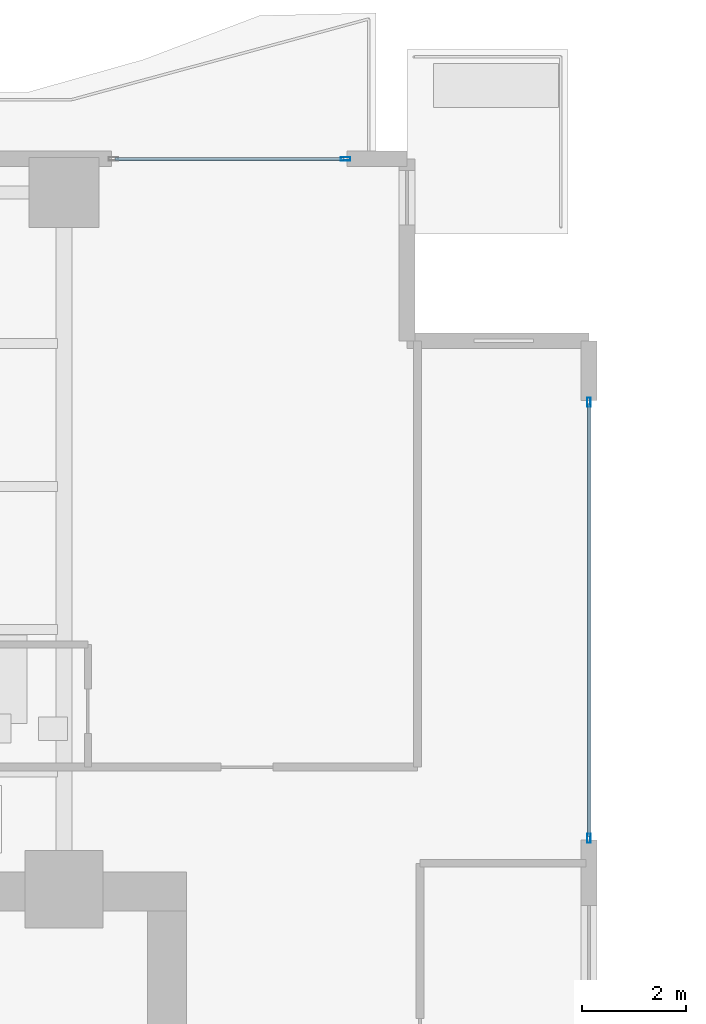
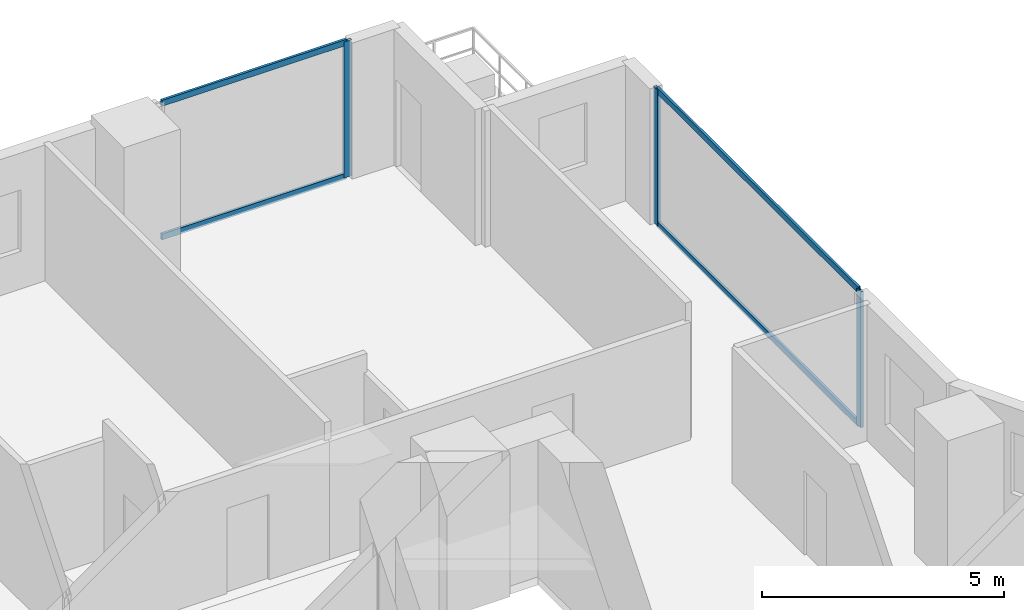
# One storey, part 18 of 28: 7 members, 2 elements without a shape of their own.
"""IFC4 building model written with IfcOpenShell, lengths in metres."""

from ifc_helpers import new_model, si_unit, direction, frame, origin, origin_2d, place, context, subcontext, project, spatial, hollow_rectangle, extrude, material, layer, layer_set, material_profile, profile_set, type_object, element, aggregate, save


model = new_model("IFC4")

# Units and contexts
model_context = context("Model", 3, precision=1e-05, world=origin(), true_north=direction((0.0, 1.0)))
body_context = subcontext(model_context, "Body", "Model", "MODEL_VIEW")
ifc_project = project(units=[si_unit("LENGTHUNIT", "METRE"), si_unit("AREAUNIT", "SQUARE_METRE"), si_unit("VOLUMEUNIT", "CUBIC_METRE"), si_unit("PLANEANGLEUNIT", "RADIAN"), si_unit("MASSUNIT", "GRAM", prefix="KILO")], contexts=[model_context])

# Site, building, storey
site_placement = place(None, origin())
site = spatial("IfcSite", under=ifc_project, at=site_placement, CompositionType="ELEMENT")
building_placement = place(site_placement, origin())
building = spatial("IfcBuilding", under=site, at=building_placement, Name="Zuhayl Quay Hotel", CompositionType="ELEMENT")
storey_placement = place(building_placement, frame((0.0, 0.0, 99.300048828125)))
storey = spatial("IfcBuildingStorey", under=building, at=storey_placement, Name="L24", CompositionType="ELEMENT", Elevation=99.300048828125)

# Curtain wall, member
ifc_material_1 = material(Name="Anodised Aluminium 6063-T6", Category="aluminium")
ifc_layer = layer(ifc_material_1, 0.179931640625, Name="Anodised Aluminium 6063-T6", Category="aluminium")
ifc_layer_set = layer_set([ifc_layer], Name="Anodised Aluminium 6063-T6")
curtain_wall_type = type_object("IfcCurtainWallType", Name="CW_SYS_Z2", PredefinedType="USERDEFINED", material=ifc_layer_set)
curtain_wall_1_placement = place(storey_placement, origin())
curtain_wall_1 = element("IfcCurtainWall", 1, at=curtain_wall_1_placement, inside=storey, type_object=curtain_wall_type, Name="L24 Curtain Wall ENV_L24_N_CW4", ObjectType="UNITISED CURTAIN WALL", PredefinedType="USERDEFINED")
ifc_material_2 = material(Name="Black-anodised aluminium 6063-T6", Category="aluminium")
ifc_material_profile_1 = material_profile(ifc_material_2, hollow_rectangle(XDim=0.06494140625, YDim=0.179931640625, WallThickness=0.00341796875, at=origin_2d()), Name="ALU180X65")
ifc_profile_set_1 = profile_set([ifc_material_profile_1], Name="Black-anodised aluminium 6063-T6")
member_type_1 = type_object("IfcMemberType", Name="MB_CW_MUL_180", PredefinedType="MULLION", material=ifc_profile_set_1)
member_1_placement = place(storey_placement, frame((19.217529296875, 28.39990234375, 0.0), z_axis=(0.0, 0.0, 1.0), x_axis=(0.0, 1.0, 0.0)))
member_1 = element("IfcMember", 2, at=member_1_placement, type_object=member_type_1, Name="CW-Z2 mullion 2", PredefinedType="MULLION", context=body_context, shape_type="SweptSolid", body=[
    extrude(hollow_rectangle(XDim=0.06494140625, YDim=0.179931640625, WallThickness=0.00341796875, at=origin_2d()), origin(), (0.0, 0.0, 1.0), 3.429931640625),
])

# Curtain wall, members
curtain_wall_2_placement = place(storey_placement, origin())
curtain_wall_2 = element("IfcCurtainWall", 3, at=curtain_wall_2_placement, inside=storey, type_object=curtain_wall_type, Name="L24 Curtain Wall ENV_L24_E11_CW1", ObjectType="UNITISED CURTAIN WALL", PredefinedType="USERDEFINED")
member_2_placement = place(storey_placement, frame((23.89990234375, 23.717529296875, 0.0), z_axis=(0.0, 0.0, 1.0), x_axis=(1.0, 0.0, 0.0)))
member_2 = element("IfcMember", 4, at=member_2_placement, type_object=member_type_1, Name="CW-Z2 mullion 1", PredefinedType="MULLION", context=body_context, shape_type="SweptSolid", body=[
    extrude(hollow_rectangle(XDim=0.06494140625, YDim=0.179931640625, WallThickness=0.00341796875, at=origin_2d()), origin(), (0.0, 0.0, 1.0), 3.429931640625),
])
member_3_placement = place(storey_placement, frame((23.89990234375, 15.33251953125, 0.0), z_axis=(0.0, 0.0, 1.0), x_axis=(1.0, 0.0, 0.0)))
member_3 = element("IfcMember", 5, at=member_3_placement, type_object=member_type_1, Name="CW-Z2 mullion 2", PredefinedType="MULLION", context=body_context, shape_type="SweptSolid", body=[
    extrude(hollow_rectangle(XDim=0.06494140625, YDim=0.179931640625, WallThickness=0.00341796875, at=origin_2d()), origin(), (0.0, 0.0, 1.0), 3.429931640625),
])

# Member
ifc_material_profile_2 = material_profile(ifc_material_2, hollow_rectangle(XDim=0.06005859375, YDim=0.14990234375, WallThickness=0.00341796875, at=origin_2d()), Name="ALU150X60")
ifc_profile_set_2 = profile_set([ifc_material_profile_2], Name="Black-anodised aluminium 6063-T6")
member_type_2 = type_object("IfcMemberType", Name="MB_CW_TRN_150", PredefinedType="USERDEFINED", material=ifc_profile_set_2)
member_4_placement = place(storey_placement, frame((14.784912109375, 28.39990234375, 0.030029296875), z_axis=(1.0, 0.0, 0.0), x_axis=(0.0, 1.0, 0.0)))
member_4 = element("IfcMember", 6, at=member_4_placement, type_object=member_type_2, Name="CW-Z2 transom 1.1", ObjectType="TRANSOM", PredefinedType="USERDEFINED", context=body_context, shape_type="SweptSolid", body=[
    extrude(hollow_rectangle(XDim=0.06005859375, YDim=0.14990234375, WallThickness=0.00341796875, at=origin_2d()), origin(), (0.0, 0.0, 1.0), 4.400146484375),
])

member_5_placement = place(storey_placement, frame((14.784912109375, 28.39990234375, 3.39990234375), z_axis=(1.0, 0.0, 0.0), x_axis=(0.0, 1.0, 0.0)))
member_5 = element("IfcMember", 7, at=member_5_placement, type_object=member_type_2, Name="CW-Z2 transom 1.2", ObjectType="TRANSOM", PredefinedType="USERDEFINED", context=body_context, shape_type="SweptSolid", body=[
    extrude(hollow_rectangle(XDim=0.06005859375, YDim=0.14990234375, WallThickness=0.00341796875, at=origin_2d()), origin(), (0.0, 0.0, 1.0), 4.400146484375),
])

aggregate(curtain_wall_1, [member_1, member_4, member_5])

member_6_placement = place(storey_placement, frame((23.89990234375, 23.68505859375, 0.030029296875), z_axis=(0.0, -1.0, 0.0), x_axis=(1.0, 0.0, 0.0)))
member_6 = element("IfcMember", 8, at=member_6_placement, type_object=member_type_2, Name="CW-Z2 transom 1.1", ObjectType="TRANSOM", PredefinedType="USERDEFINED", context=body_context, shape_type="SweptSolid", body=[
    extrude(hollow_rectangle(XDim=0.06005859375, YDim=0.14990234375, WallThickness=0.00341796875, at=origin_2d()), origin(), (0.0, 0.0, 1.0), 8.320068359375),
])

member_7_placement = place(storey_placement, frame((23.89990234375, 23.68505859375, 3.39990234375), z_axis=(0.0, -1.0, 0.0), x_axis=(1.0, 0.0, 0.0)))
member_7 = element("IfcMember", 9, at=member_7_placement, type_object=member_type_2, Name="CW-Z2 transom 1.2", ObjectType="TRANSOM", PredefinedType="USERDEFINED", context=body_context, shape_type="SweptSolid", body=[
    extrude(hollow_rectangle(XDim=0.06005859375, YDim=0.14990234375, WallThickness=0.00341796875, at=origin_2d()), origin(), (0.0, 0.0, 1.0), 8.320068359375),
])

aggregate(curtain_wall_2, [member_2, member_3, member_6, member_7])

save(model, "model.ifc")
